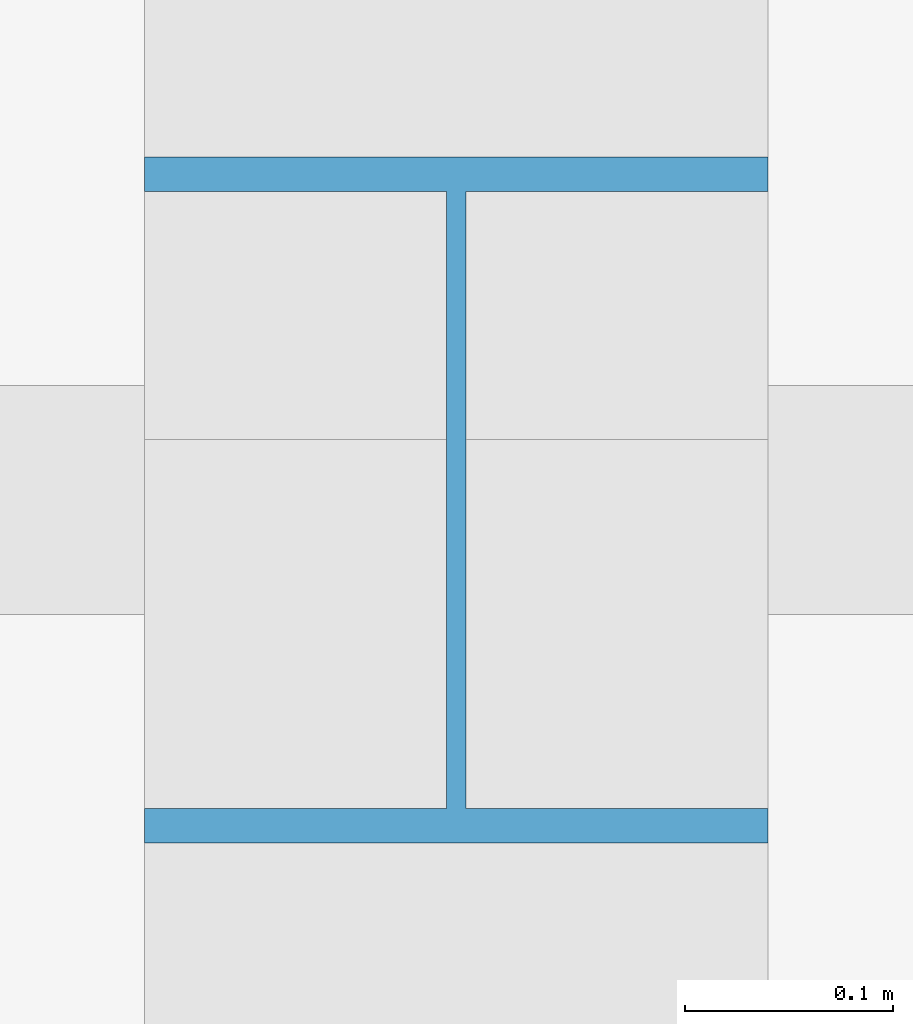
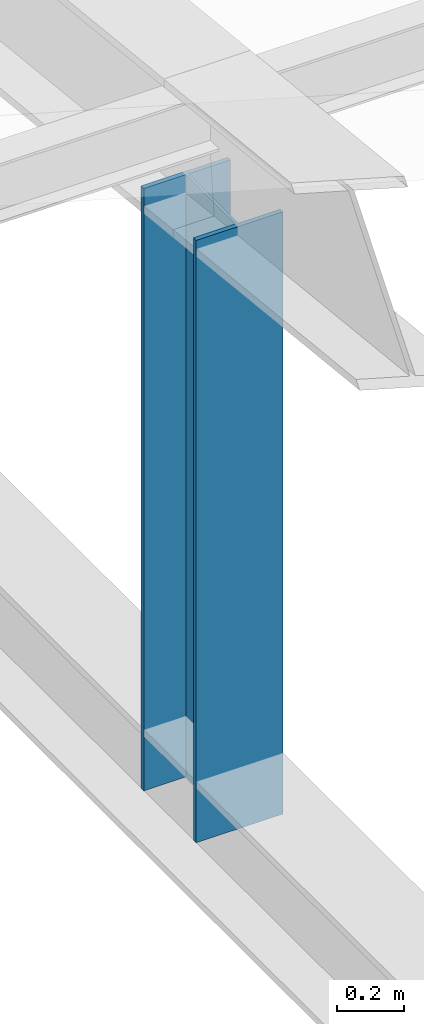
# One storey, part 26 of 103: 1 member.
"""IFC4 building model written with IfcOpenShell, lengths in metres."""

from ifc_helpers import new_model, si_unit, direction, frame, origin, origin_2d, place, context, subcontext, project, spatial, i_section, extrude, material, material_profile, profile_set, type_object, element, save


model = new_model("IFC4")

# Units and contexts
model_context = context("Model", 3, precision=1e-05, world=origin(), true_north=direction((0.0, 1.0)))
body_context = subcontext(model_context, "Body", "Model", "MODEL_VIEW")
ifc_project = project(units=[si_unit("LENGTHUNIT", "METRE"), si_unit("AREAUNIT", "SQUARE_METRE"), si_unit("VOLUMEUNIT", "CUBIC_METRE"), si_unit("PLANEANGLEUNIT", "RADIAN"), si_unit("MASSUNIT", "GRAM", prefix="KILO")], contexts=[model_context])

# Site, building, storey
site_placement = place(None, origin())
site = spatial("IfcSite", under=ifc_project, at=site_placement, CompositionType="ELEMENT")
building_placement = place(site_placement, origin())
building = spatial("IfcBuilding", under=site, at=building_placement, Name="Thalmaran Polytechnic", CompositionType="ELEMENT")
storey_placement = place(building_placement, frame((0.0, 0.0, 14.39990234375)))
storey = spatial("IfcBuildingStorey", under=building, at=storey_placement, Name="L03", CompositionType="ELEMENT", Elevation=14.39990234375)

# Member
ifc_material = material(Name="Steel S355", Category="steel")
ifc_material_profile = material_profile(ifc_material, i_section(OverallWidth=0.300048828125, OverallDepth=0.330078125, WebThickness=0.009521484375, FlangeThickness=0.0166015625, at=origin_2d()), Name="HEA 340")
ifc_profile_set = profile_set([ifc_material_profile], Name="Steel S355")
member_type = type_object("IfcMemberType", Name="MB-TRS1", PredefinedType="STRUT", material=ifc_profile_set)
member_placement = place(storey_placement, frame((86.39990234375, 18.0, 0.22021484375), z_axis=(0.0, 0.0, 1.0), x_axis=(1.0, 0.0, 0.0)))
element("IfcMember", 1, at=member_placement, inside=storey, type_object=member_type, Name="Lecture Truss Mid Web Strut G12", PredefinedType="STRUT", context=body_context, shape_type="SweptSolid", body=[
    extrude(i_section(OverallWidth=0.300048828125, OverallDepth=0.330078125, WebThickness=0.009521484375, FlangeThickness=0.0166015625, at=origin_2d()), origin(), (0.0, 0.0, 1.0), 2.204833984375),
])

save(model, "model.ifc")
